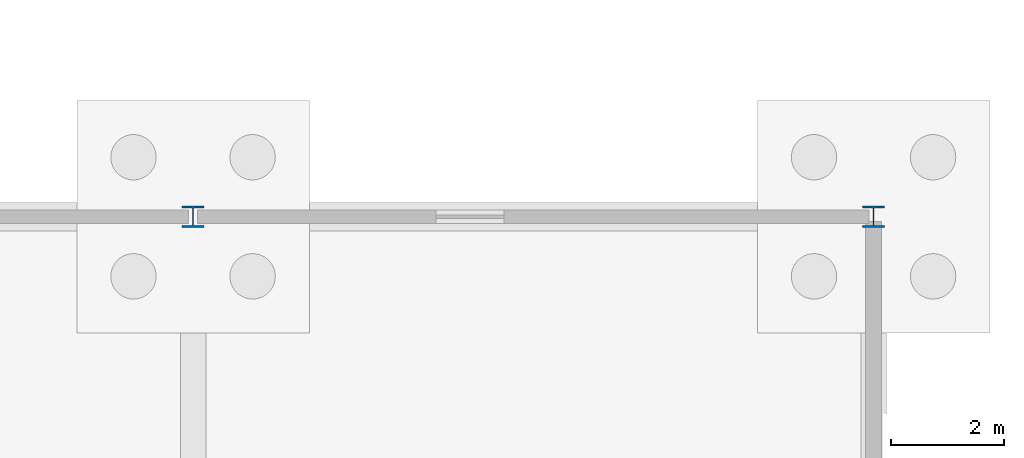
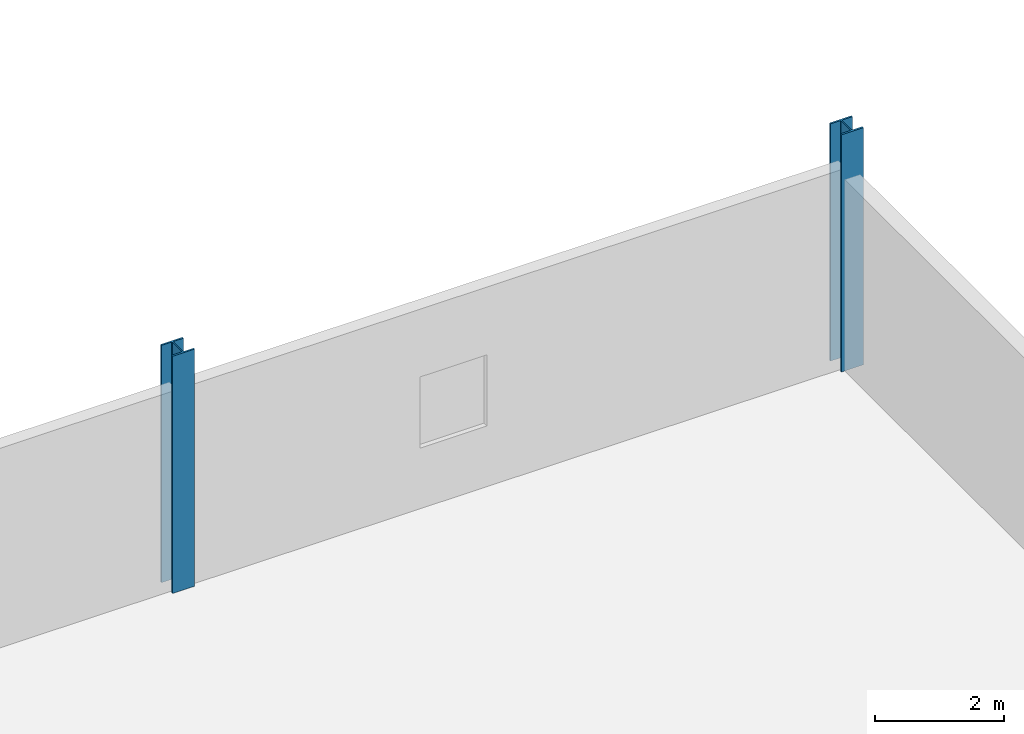
# One storey, part 25 of 136: 2 columns.
"""IFC4 building model written with IfcOpenShell, lengths in metres."""

from ifc_helpers import new_model, si_unit, direction, frame, origin, origin_2d, place, context, subcontext, project, spatial, i_section, extrude, material, material_profile, profile_set, type_object, element, save


model = new_model("IFC4")

# Units and contexts
model_context = context("Model", 3, precision=1e-05, world=origin(), true_north=direction((0.0, 1.0)))
body_context = subcontext(model_context, "Body", "Model", "MODEL_VIEW")
ifc_project = project(units=[si_unit("LENGTHUNIT", "METRE"), si_unit("AREAUNIT", "SQUARE_METRE"), si_unit("VOLUMEUNIT", "CUBIC_METRE"), si_unit("PLANEANGLEUNIT", "RADIAN"), si_unit("MASSUNIT", "GRAM", prefix="KILO")], contexts=[model_context])

# Site, building, storey
site_placement = place(None, origin())
site = spatial("IfcSite", under=ifc_project, at=site_placement, CompositionType="ELEMENT")
building_placement = place(site_placement, origin())
building = spatial("IfcBuilding", under=site, at=building_placement, Name="Solvenia Promenade Tram Depot", CompositionType="ELEMENT")
storey_placement = place(building_placement, origin())
storey = spatial("IfcBuildingStorey", under=building, at=storey_placement, Name="L00", CompositionType="ELEMENT", Elevation=0.0)

# Columns
ifc_material = material(Name="Structural steel ASTM A992 Gr. 50", Category="steel")
ifc_material_profile = material_profile(ifc_material, i_section(OverallWidth=0.39404296875, OverallDepth=0.375, WebThickness=0.0205078125, FlangeThickness=0.033203125, FilletRadius=0.01806640625, at=origin_2d()), Name="W360x216", Category="steel")
ifc_profile_set = profile_set([ifc_material_profile], Name="Structural steel ASTM A992 Gr. 50")
column_type = type_object("IfcColumnType", Name="Col-W360x216", PredefinedType="COLUMN", material=ifc_profile_set)
for number, where, z_axis, x_axis, name in (
    (1, (174.0, 66.0, 0.0), (0.0, 0.0, 1.0), (1.0, 0.0, 0.0), "Steel Column COL-L00-354"),
    (2, (186.0, 66.0, 0.0), (0.0, 0.0, 1.0), (1.0, 0.0, 0.0), "Steel Column COL-L00-369"),
):
    element("IfcColumn", number, at=place(storey_placement, frame(where, z_axis=z_axis, x_axis=x_axis)), inside=storey, type_object=column_type, Name=name, PredefinedType="COLUMN", context=body_context, shape_type="SweptSolid", body=[
        extrude(i_section(OverallWidth=0.39404296875, OverallDepth=0.375, WebThickness=0.0205078125, FlangeThickness=0.033203125, FilletRadius=0.01806640625, at=origin_2d()), origin(), (0.0, 0.0, 1.0), 4.5),
    ])

save(model, "model.ifc")
